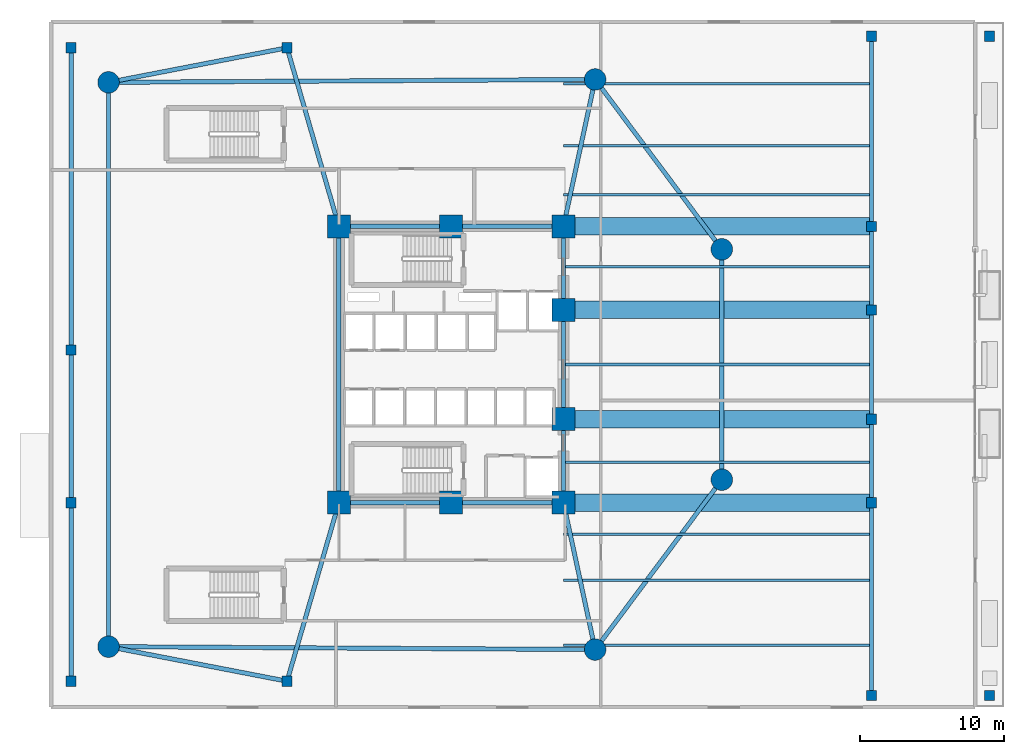
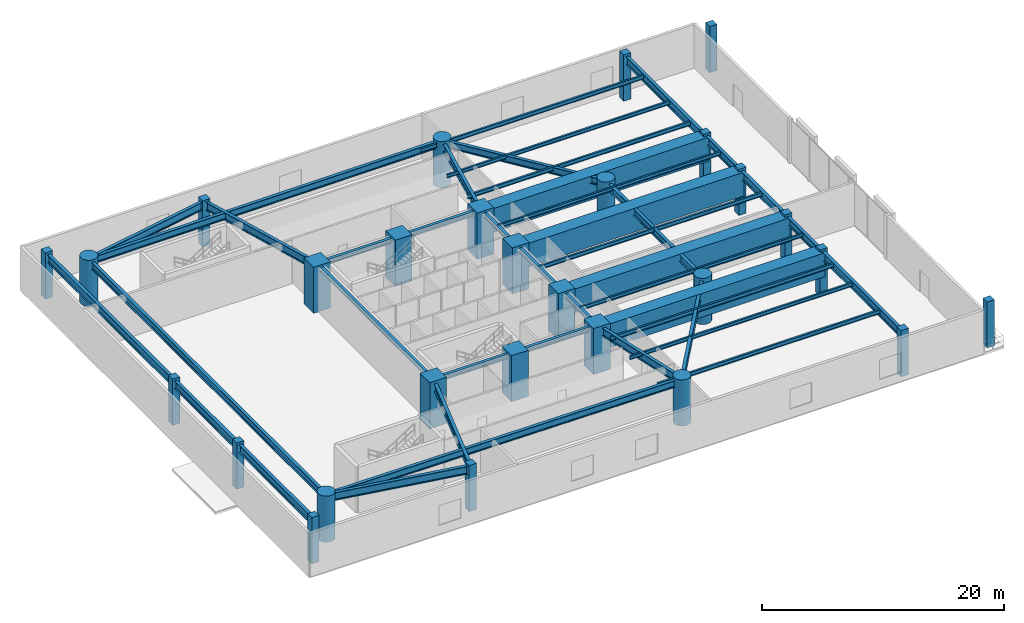
# One storey, part 1 of 11: 37 beams, 28 columns.
"""IFC4 building model written with IfcOpenShell, lengths in metres."""

import ifcopenshell
import ifcopenshell.guid

model = None  # the IFC model being written
_history = None  # IfcOwnerHistory: only IFC2X3 demands one
_inside = {}  # id of a spatial element -> (the spatial element, [elements in it])
_under = {}  # id of a project, library or spatial element -> (it, [spatial elements below it])
_declared = {}  # id of a project -> (the project, [libraries it declares])
_typed = {}  # id of a type object -> (the type object, [elements of that type])
_made_of = {}  # id of a material, layer set ... -> (it, [elements and type objects made of it])


def new_model(schema):
    """Start an empty IFC model of exactly this schema.

    Asked for "IFC4X3", IfcOpenShell would pick the latest addendum, in which some entities
    have other attributes; the version numbers below select the first issue.
    IFC2X3 requires an IfcOwnerHistory on every rooted entity: one is made here for all.
    """
    global model, _history
    if schema == "IFC4X3":
        model = ifcopenshell.file(schema_version=(4, 3, 0, 0))
    else:
        model = ifcopenshell.file(schema=schema)
    _inside.clear()
    _under.clear()
    _declared.clear()
    _typed.clear()
    _made_of.clear()
    _history = None
    if model.schema == "IFC2X3":
        org = make("IfcOrganization", Name="unknown")
        user = make(
            "IfcPersonAndOrganization",
            ThePerson=make("IfcPerson", FamilyName="unknown"),
            TheOrganization=org,
        )
        app = make(
            "IfcApplication",
            ApplicationDeveloper=org,
            Version="unknown",
            ApplicationFullName="unknown",
            ApplicationIdentifier="unknown",
        )
        _history = make(
            "IfcOwnerHistory",
            OwningUser=user,
            OwningApplication=app,
            ChangeAction="ADDED",
            CreationDate=0,
        )
    return model


def make(cls, **values):
    """One entity of the class cls with the attributes given. An attribute that is None is left unset."""
    return model.create_entity(
        cls, **{name: value for name, value in values.items() if value is not None}
    )


def rooted(cls, **values):
    """An entity with a GlobalId (a new one), such as an element, a storey or a relation."""
    return make(cls, GlobalId=ifcopenshell.guid.new(), OwnerHistory=_history, **values)


def si_unit(unit_type, name, prefix=None):
    """IfcSIUnit, for example si_unit("LENGTHUNIT", "METRE", prefix="MILLI")."""
    return make("IfcSIUnit", UnitType=unit_type, Prefix=prefix, Name=name)


def assignment(units):
    """IfcUnitAssignment: the units of a project."""
    return None if units is None else make("IfcUnitAssignment", Units=units)


def point(xyz):
    """IfcCartesianPoint."""
    return None if xyz is None else make("IfcCartesianPoint", Coordinates=xyz)


def direction(xyz):
    """IfcDirection."""
    return None if xyz is None else make("IfcDirection", DirectionRatios=xyz)


def frame(location, z_axis=None, x_axis=None):
    """IfcAxis2Placement3D, a coordinate frame: its origin and axes. An axis left out is left unset."""
    return make(
        "IfcAxis2Placement3D",
        Location=point(location),
        Axis=direction(z_axis),
        RefDirection=direction(x_axis),
    )


def frame_2d(location, x_axis=None):
    """IfcAxis2Placement2D, a coordinate frame in the plane: its origin and x axis."""
    return make(
        "IfcAxis2Placement2D", Location=point(location), RefDirection=direction(x_axis)
    )


def origin():
    """The frame at (0, 0, 0) with its axes left unset."""
    return frame((0.0, 0.0, 0.0))


def origin_2d():
    """The frame at (0, 0) in the plane with its x axis left unset."""
    return frame_2d((0.0, 0.0))


def place(relative_to, where):
    """IfcLocalPlacement: puts the frame where relative to a parent placement (None: the world)."""
    return make(
        "IfcLocalPlacement", PlacementRelTo=relative_to, RelativePlacement=where
    )


def context(
    kind, dimensions, precision=None, world=None, true_north=None, identifier=None
):
    """IfcGeometricRepresentationContext, for example the 3D "Model" context."""
    return make(
        "IfcGeometricRepresentationContext",
        ContextIdentifier=identifier,
        ContextType=kind,
        CoordinateSpaceDimension=dimensions,
        Precision=precision,
        WorldCoordinateSystem=world,
        TrueNorth=true_north,
    )


def subcontext(parent, identifier, kind, view, scale=None):
    """IfcGeometricRepresentationSubContext, for example "Body" below "Model"."""
    return make(
        "IfcGeometricRepresentationSubContext",
        ContextIdentifier=identifier,
        ContextType=kind,
        ParentContext=parent,
        TargetScale=scale,
        TargetView=view,
    )


def project(units=None, contexts=None):
    """IfcProject with its units and contexts."""
    return rooted(
        "IfcProject",
        Name="project",
        RepresentationContexts=contexts,
        UnitsInContext=assignment(units),
    )


def spatial(cls, under=None, at=None, **own):
    """A site, building, storey or space (cls), placed at a placement, below another one or the project."""
    s = rooted(cls, ObjectPlacement=at, **own)
    if under is not None:
        _under.setdefault(under.id(), (under, []))[1].append(s)
    return s


def profile(cls, at=None, kind="AREA", **sizes):
    """A parametric profile (cls). Its sizes go by their IFC names, for example OverallWidth=200.0."""
    return make(cls, ProfileType=kind, Position=at, **sizes)


def rectangle(**sizes):
    """IfcRectangleProfileDef."""
    return profile("IfcRectangleProfileDef", **sizes)


def circle(**sizes):
    """IfcCircleProfileDef."""
    return profile("IfcCircleProfileDef", **sizes)


def i_section(**sizes):
    """IfcIShapeProfileDef."""
    return profile("IfcIShapeProfileDef", **sizes)


def extrude(swept, where, along, depth):
    """IfcExtrudedAreaSolid: the profile swept, set in the frame where, extruded along a direction by depth."""
    return make(
        "IfcExtrudedAreaSolid",
        SweptArea=swept,
        Position=where,
        ExtrudedDirection=direction(along),
        Depth=depth,
    )


def shape(context_of_items, identifier, shape_type, items):
    """IfcShapeRepresentation: the items that make up one representation, for example the "Body"."""
    return make(
        "IfcShapeRepresentation",
        ContextOfItems=context_of_items,
        RepresentationIdentifier=identifier,
        RepresentationType=shape_type,
        Items=items,
    )


def material(Name=None, Category=None):
    """IfcMaterial."""
    return make("IfcMaterial", Name=Name, Category=Category)


def material_profile(
    of_material, cross_section, Name=None, Category=None, Priority=None
):
    """IfcMaterialProfile: a cross section and its material."""
    return make(
        "IfcMaterialProfile",
        Name=Name,
        Material=of_material,
        Profile=cross_section,
        Priority=Priority,
        Category=Category,
    )


def profile_set(profiles, Name=None, composite=None):
    """IfcMaterialProfileSet."""
    return make(
        "IfcMaterialProfileSet",
        Name=Name,
        MaterialProfiles=profiles,
        CompositeProfile=composite,
    )


def made_of(thing, what):
    """Note that an element or type object is made of a material, layer set ...; save() writes the relation."""
    if what is not None:
        _made_of.setdefault(what.id(), (what, []))[1].append(thing)
    return thing


def type_object(cls, material=None, **own):
    """A type object (cls), such as IfcWallType, which elements share."""
    return made_of(rooted(cls, **own), material)


def element(
    cls,
    number,
    at=None,
    inside=None,
    cuts=None,
    type_object=None,
    material=None,
    context=None,
    identifier="Body",
    shape_type=None,
    held_by="IfcProductDefinitionShape",
    body=None,
    shapes=None,
    **own,
):
    """One element of the class cls, such as IfcWall. Its Tag is "e" and its number.

    at: its placement. inside: the storey or other place that contains it. cuts: it is an
    opening in that element (IfcRelVoidsElement). A single representation is given by context,
    identifier, shape_type and body (its items); several are given by shapes. held_by: the class
    of the entity that holds the representations. save() writes the other relations.
    """
    e = rooted(cls, Tag="e%d" % number, ObjectPlacement=at, **own)
    if body is not None:
        shapes = [shape(context, identifier, shape_type, body)]
    if shapes is not None:
        e.Representation = make(held_by, Representations=shapes)
    if inside is not None:
        _inside.setdefault(inside.id(), (inside, []))[1].append(e)
    if cuts is not None:
        rooted(
            "IfcRelVoidsElement", RelatingBuildingElement=cuts, RelatedOpeningElement=e
        )
    if type_object is not None:
        _typed.setdefault(type_object.id(), (type_object, []))[1].append(e)
    return made_of(e, material)


def aggregate(whole, parts):
    """IfcRelAggregates: a whole, such as a stair, and the parts it consists of."""
    return rooted("IfcRelAggregates", RelatingObject=whole, RelatedObjects=parts)


def save(model, path):
    """Write the relations noted so far, then the file.

    IfcRelAggregates (storeys below a building ...), IfcRelContainedInSpatialStructure (elements
    in a storey), IfcRelDefinesByType, IfcRelAssociatesMaterial and IfcRelDeclares: one each for
    every whole, place, type object, material and project.
    """
    for whole, parts in _under.values():
        aggregate(whole, parts)
    for where, things in _inside.values():
        rooted(
            "IfcRelContainedInSpatialStructure",
            RelatedElements=things,
            RelatingStructure=where,
        )
    for kind, things in _typed.values():
        rooted("IfcRelDefinesByType", RelatedObjects=things, RelatingType=kind)
    for what, things in _made_of.values():
        rooted("IfcRelAssociatesMaterial", RelatedObjects=things, RelatingMaterial=what)
    for by, libraries in _declared.values():
        rooted("IfcRelDeclares", RelatingContext=by, RelatedDefinitions=libraries)
    model.write(path)


model = new_model("IFC4")

# Units and contexts
model_context = context("Model", 3, precision=1e-05, world=origin(), true_north=direction((0.0, 1.0)))
body_context = subcontext(model_context, "Body", "Model", "MODEL_VIEW")
ifc_project = project(units=[si_unit("LENGTHUNIT", "METRE"), si_unit("AREAUNIT", "SQUARE_METRE"), si_unit("VOLUMEUNIT", "CUBIC_METRE"), si_unit("PLANEANGLEUNIT", "RADIAN"), si_unit("MASSUNIT", "GRAM", prefix="KILO")], contexts=[model_context])

# Site, building, storey
site_placement = place(None, origin())
site = spatial("IfcSite", under=ifc_project, at=site_placement, CompositionType="ELEMENT")
building_placement = place(site_placement, origin())
building = spatial("IfcBuilding", under=site, at=building_placement, Name="An Khanh Terracotta Commons", CompositionType="ELEMENT")
storey_placement = place(building_placement, frame((0.0, 0.0, 19.35009765625)))
storey = spatial("IfcBuildingStorey", under=building, at=storey_placement, Name="L05", CompositionType="ELEMENT", Elevation=19.35009765625)

# Columns
ifc_material_1 = material(Name="Concrete C70/85", Category="concrete")
ifc_material_profile_1 = material_profile(ifc_material_1, circle(Radius=0.75, at=origin_2d()), Name="CFST1500")
ifc_profile_set_1 = profile_set([ifc_material_profile_1], Name="Concrete C70/85")
column_type_1 = type_object("IfcColumnType", Name="COL-CFST1500", PredefinedType="COLUMN", material=ifc_profile_set_1)
for number, where, z_axis, x_axis, name in (
    (1, (5.60009765625, 4.39990234375, 0.0), (0.0, 0.0, 1.0), (1.0, 0.0, 0.0), "L05 Mega-Column MC-01"),
    (2, (39.39990234375, 4.199951171875, 0.0), (0.0, 0.0, 1.0), (1.0, 0.0, 0.0), "L05 Mega-Column MC-02"),
    (3, (48.199951171875, 16.0, 0.0), (0.0, 0.0, 1.0), (1.0, 0.0, 0.0), "L05 Mega-Column MC-03"),
    (4, (48.199951171875, 32.0, 0.0), (0.0, 0.0, 1.0), (1.0, 0.0, 0.0), "L05 Mega-Column MC-04"),
    (5, (39.39990234375, 43.800048828125, 0.0), (0.0, 0.0, 1.0), (1.0, 0.0, 0.0), "L05 Mega-Column MC-05"),
    (6, (5.60009765625, 43.60009765625, 0.0), (0.0, 0.0, 1.0), (1.0, 0.0, 0.0), "L05 Mega-Column MC-06"),
):
    element("IfcColumn", number, at=place(storey_placement, frame(where, z_axis=z_axis, x_axis=x_axis)), inside=storey, type_object=column_type_1, Name=name, PredefinedType="COLUMN", context=body_context, shape_type="SweptSolid", body=[
        extrude(circle(Radius=0.75, at=origin_2d()), origin(), (0.0, 0.0, 1.0), 4.64990234375),
    ])
ifc_material_profile_2 = material_profile(ifc_material_1, rectangle(XDim=1.60009765625, YDim=1.60009765625, at=origin_2d()), Name="RC1600x1600")
ifc_profile_set_2 = profile_set([ifc_material_profile_2], Name="Concrete C70/85")
column_type_2 = type_object("IfcColumnType", Name="COL-RC1600x1600", PredefinedType="COLUMN", material=ifc_profile_set_2)
for number, where, z_axis, x_axis, name in (
    (7, (21.60009765625, 14.39990234375, 0.0), (0.0, 0.0, 1.0), (1.0, 0.0, 0.0), "L05 Core Boundary Column CC-01"),
    (8, (29.39990234375, 14.39990234375, 0.0), (0.0, 0.0, 1.0), (1.0, 0.0, 0.0), "L05 Core Boundary Column CC-02"),
    (9, (37.199951171875, 14.39990234375, 0.0), (0.0, 0.0, 1.0), (1.0, 0.0, 0.0), "L05 Core Boundary Column CC-03"),
    (10, (37.199951171875, 20.199951171875, 0.0), (0.0, 0.0, 1.0), (1.0, 0.0, 0.0), "L05 Core Boundary Column CC-04"),
    (11, (37.199951171875, 27.800048828125, 0.0), (0.0, 0.0, 1.0), (1.0, 0.0, 0.0), "L05 Core Boundary Column CC-05"),
    (12, (37.199951171875, 33.60009765625, 0.0), (0.0, 0.0, 1.0), (1.0, 0.0, 0.0), "L05 Core Boundary Column CC-06"),
    (13, (29.39990234375, 33.60009765625, 0.0), (0.0, 0.0, 1.0), (1.0, 0.0, 0.0), "L05 Core Boundary Column CC-07"),
    (14, (21.60009765625, 33.60009765625, 0.0), (0.0, 0.0, 1.0), (1.0, 0.0, 0.0), "L05 Core Boundary Column CC-08"),
):
    element("IfcColumn", number, at=place(storey_placement, frame(where, z_axis=z_axis, x_axis=x_axis)), inside=storey, type_object=column_type_2, Name=name, PredefinedType="COLUMN", context=body_context, shape_type="SweptSolid", body=[
        extrude(rectangle(XDim=1.60009765625, YDim=1.60009765625, at=origin_2d()), origin(), (0.0, 0.0, 1.0), 4.64990234375),
    ])
ifc_material_2 = material(Name="Concrete C50/60", Category="concrete")
ifc_material_profile_3 = material_profile(ifc_material_2, rectangle(XDim=0.699951171875, YDim=0.699951171875, at=origin_2d()), Name="RC700x700")
ifc_profile_set_3 = profile_set([ifc_material_profile_3], Name="Concrete C50/60")
column_type_3 = type_object("IfcColumnType", Name="COL-RC700x700", PredefinedType="COLUMN", material=ifc_profile_set_3)
for number, where, z_axis, x_axis, name in (
    (15, (3.0, 2.0, 0.0), (0.0, 0.0, 1.0), (1.0, 0.0, 0.0), "L05 Podium Column PC-01"),
    (16, (18.0, 2.0, 0.0), (0.0, 0.0, 1.0), (1.0, 0.0, 0.0), "L05 Podium Column PC-02"),
    (17, (58.60009765625, 1.0, 0.0), (0.0, 0.0, 1.0), (1.0, 0.0, 0.0), "L05 Podium Column PC-03"),
    (18, (58.60009765625, 46.800048828125, 0.0), (0.0, 0.0, 1.0), (1.0, 0.0, 0.0), "L05 Podium Column PC-09"),
    (19, (18.0, 46.0, 0.0), (0.0, 0.0, 1.0), (1.0, 0.0, 0.0), "L05 Podium Column PC-10"),
    (20, (3.0, 46.0, 0.0), (0.0, 0.0, 1.0), (1.0, 0.0, 0.0), "L05 Podium Column PC-11"),
    (21, (3.0, 14.39990234375, 0.0), (0.0, 0.0, 1.0), (1.0, 0.0, 0.0), "L05 Podium Column PC-12"),
    (22, (3.0, 25.0, 0.0), (0.0, 0.0, 1.0), (1.0, 0.0, 0.0), "L05 Podium Column PC-17"),
    (23, (58.60009765625, 20.199951171875, 0.0), (0.0, 0.0, 1.0), (1.0, 0.0, 0.0), "L05 Podium Column PC-13"),
    (24, (58.60009765625, 27.800048828125, 0.0), (0.0, 0.0, 1.0), (1.0, 0.0, 0.0), "L05 Podium Column PC-14"),
    (25, (58.60009765625, 14.39990234375, 0.0), (0.0, 0.0, 1.0), (1.0, 0.0, 0.0), "L05 Podium Column PC-18"),
    (26, (58.60009765625, 33.60009765625, 0.0), (0.0, 0.0, 1.0), (1.0, 0.0, 0.0), "L05 Podium Column PC-19"),
    (27, (66.800048828125, 1.0, 0.0), (0.0, 0.0, 1.0), (1.0, 0.0, 0.0), "L05 Podium Column PC-15"),
    (28, (66.800048828125, 46.800048828125, 0.0), (0.0, 0.0, 1.0), (1.0, 0.0, 0.0), "L05 Podium Column PC-16"),
):
    element("IfcColumn", number, at=place(storey_placement, frame(where, z_axis=z_axis, x_axis=x_axis)), inside=storey, type_object=column_type_3, Name=name, PredefinedType="COLUMN", context=body_context, shape_type="SweptSolid", body=[
        extrude(rectangle(XDim=0.699951171875, YDim=0.699951171875, at=origin_2d()), origin(), (0.0, 0.0, 1.0), 4.64990234375),
    ])

# Beams
ifc_material_3 = material(Name="Steel S355J2", Category="steel")
ifc_material_profile_4 = material_profile(ifc_material_3, i_section(OverallWidth=0.300048828125, OverallDepth=0.449951171875, WebThickness=0.013916015625, FlangeThickness=0.02587890625, FilletRadius=0.027099609375, at=origin_2d()), Name="HEB450")
ifc_profile_set_4 = profile_set([ifc_material_profile_4], Name="Steel S355J2")
beam_type_1 = type_object("IfcBeamType", Name="BM-HEB450", PredefinedType="BEAM", material=ifc_profile_set_4)
beam_1_placement = place(storey_placement, frame((37.199951171875, 14.39990234375, 4.184814453125), z_axis=(0.0, 1.0, 0.0), x_axis=(-1.0, 0.0, 0.0)))
element("IfcBeam", 29, at=beam_1_placement, inside=storey, type_object=beam_type_1, Name="L05 Core East Coupling Girder 1", PredefinedType="BEAM", context=body_context, shape_type="SweptSolid", body=[
    extrude(i_section(OverallWidth=0.300048828125, OverallDepth=0.449951171875, WebThickness=0.013916015625, FlangeThickness=0.02587890625, FilletRadius=0.027099609375, at=origin_2d()), origin(), (0.0, 0.0, 1.0), 5.800048828125),
])
beam_2_placement = place(storey_placement, frame((37.199951171875, 20.199951171875, 4.184814453125), z_axis=(0.0, 1.0, 0.0), x_axis=(-1.0, 0.0, 0.0)))
element("IfcBeam", 30, at=beam_2_placement, inside=storey, type_object=beam_type_1, Name="L05 Core East Coupling Girder 2", PredefinedType="BEAM", context=body_context, shape_type="SweptSolid", body=[
    extrude(i_section(OverallWidth=0.300048828125, OverallDepth=0.449951171875, WebThickness=0.013916015625, FlangeThickness=0.02587890625, FilletRadius=0.027099609375, at=origin_2d()), origin(), (0.0, 0.0, 1.0), 7.60009765625),
])
beam_3_placement = place(storey_placement, frame((37.199951171875, 27.800048828125, 4.184814453125), z_axis=(0.0, 1.0, 0.0), x_axis=(-1.0, 0.0, 0.0)))
element("IfcBeam", 31, at=beam_3_placement, inside=storey, type_object=beam_type_1, Name="L05 Core East Coupling Girder 3", PredefinedType="BEAM", context=body_context, shape_type="SweptSolid", body=[
    extrude(i_section(OverallWidth=0.300048828125, OverallDepth=0.449951171875, WebThickness=0.013916015625, FlangeThickness=0.02587890625, FilletRadius=0.027099609375, at=origin_2d()), origin(), (0.0, 0.0, 1.0), 5.800048828125),
])
beam_4_placement = place(storey_placement, frame((21.60009765625, 14.39990234375, 4.184814453125), z_axis=(0.0, 1.0, 0.0), x_axis=(-1.0, 0.0, 0.0)))
element("IfcBeam", 32, at=beam_4_placement, inside=storey, type_object=beam_type_1, Name="L05 Core West Coupling Girder", PredefinedType="BEAM", context=body_context, shape_type="SweptSolid", body=[
    extrude(i_section(OverallWidth=0.300048828125, OverallDepth=0.449951171875, WebThickness=0.013916015625, FlangeThickness=0.02587890625, FilletRadius=0.027099609375, at=origin_2d()), origin(), (0.0, 0.0, 1.0), 19.2001953125),
])
ifc_material_profile_5 = material_profile(ifc_material_3, i_section(OverallWidth=0.300048828125, OverallDepth=0.5, WebThickness=0.014404296875, FlangeThickness=0.028076171875, FilletRadius=0.027099609375, at=origin_2d()), Name="HEB500")
ifc_profile_set_5 = profile_set([ifc_material_profile_5], Name="Steel S355J2")
beam_type_2 = type_object("IfcBeamType", Name="BM-HEB500", PredefinedType="BEAM", material=ifc_profile_set_5)
for number, where, z_axis, x_axis, name in (
    (33, (21.60009765625, 14.39990234375, 4.159912109375), (1.0, 0.0, 0.0), (0.0, 1.0, 0.0), "L05 Core South Coupling Girder"),
    (34, (21.60009765625, 33.60009765625, 4.159912109375), (1.0, 0.0, 0.0), (0.0, 1.0, 0.0), "L05 Core North Coupling Girder"),
):
    element("IfcBeam", number, at=place(storey_placement, frame(where, z_axis=z_axis, x_axis=x_axis)), inside=storey, type_object=beam_type_2, Name=name, PredefinedType="BEAM", context=body_context, shape_type="SweptSolid", body=[
        extrude(i_section(OverallWidth=0.300048828125, OverallDepth=0.5, WebThickness=0.014404296875, FlangeThickness=0.028076171875, FilletRadius=0.027099609375, at=origin_2d()), origin(), (0.0, 0.0, 1.0), 15.599853515625),
    ])
ifc_material_profile_6 = material_profile(ifc_material_3, i_section(OverallWidth=0.300048828125, OverallDepth=0.699951171875, WebThickness=0.01708984375, FlangeThickness=0.031982421875, FilletRadius=0.027099609375, at=origin_2d()), Name="HEB700")
ifc_profile_set_6 = profile_set([ifc_material_profile_6], Name="Steel S355J2")
beam_type_3 = type_object("IfcBeamType", Name="BM-HEB700", PredefinedType="BEAM", material=ifc_profile_set_6)
beam_5_placement = place(storey_placement, frame((5.60009765625, 4.39990234375, 4.059814453125), z_axis=(0.999982502414, -0.005915645817, 0.0), x_axis=(0.005915645817, 0.999982502414, 0.0)))
element("IfcBeam", 35, at=beam_5_placement, inside=storey, type_object=beam_type_3, Name="L05 Podium Mega-Ring Girder 1", PredefinedType="BEAM", context=body_context, shape_type="SweptSolid", body=[
    extrude(i_section(OverallWidth=0.300048828125, OverallDepth=0.699951171875, WebThickness=0.01708984375, FlangeThickness=0.031982421875, FilletRadius=0.027099609375, at=origin_2d()), origin(), (0.0, 0.0, 1.0), 33.80029296875),
])
beam_6_placement = place(storey_placement, frame((39.39990234375, 4.199951171875, 4.059814453125), z_axis=(0.59782442166, 0.801627070942, 0.0), x_axis=(-0.801627070942, 0.59782442166, 0.0)))
element("IfcBeam", 36, at=beam_6_placement, inside=storey, type_object=beam_type_3, Name="L05 Podium Mega-Ring Girder 2", PredefinedType="BEAM", context=body_context, shape_type="SweptSolid", body=[
    extrude(i_section(OverallWidth=0.300048828125, OverallDepth=0.699951171875, WebThickness=0.01708984375, FlangeThickness=0.031982421875, FilletRadius=0.027099609375, at=origin_2d()), origin(), (0.0, 0.0, 1.0), 14.72021484375),
])
beam_7_placement = place(storey_placement, frame((48.199951171875, 16.0, 4.059814453125), z_axis=(0.0, 1.0, 0.0), x_axis=(-1.0, 0.0, 0.0)))
element("IfcBeam", 37, at=beam_7_placement, inside=storey, type_object=beam_type_3, Name="L05 Podium Mega-Ring Girder 3", PredefinedType="BEAM", context=body_context, shape_type="SweptSolid", body=[
    extrude(i_section(OverallWidth=0.300048828125, OverallDepth=0.699951171875, WebThickness=0.01708984375, FlangeThickness=0.031982421875, FilletRadius=0.027099609375, at=origin_2d()), origin(), (0.0, 0.0, 1.0), 16.0),
])
beam_8_placement = place(storey_placement, frame((48.199951171875, 32.0, 4.059814453125), z_axis=(-0.59782442166, 0.801627070942, 0.0), x_axis=(-0.801627070942, -0.59782442166, 0.0)))
element("IfcBeam", 38, at=beam_8_placement, inside=storey, type_object=beam_type_3, Name="L05 Podium Mega-Ring Girder 4", PredefinedType="BEAM", context=body_context, shape_type="SweptSolid", body=[
    extrude(i_section(OverallWidth=0.300048828125, OverallDepth=0.699951171875, WebThickness=0.01708984375, FlangeThickness=0.031982421875, FilletRadius=0.027099609375, at=origin_2d()), origin(), (0.0, 0.0, 1.0), 14.72021484375),
])
beam_9_placement = place(storey_placement, frame((39.39990234375, 43.800048828125, 4.059814453125), z_axis=(-0.999982502414, -0.005915645817, 0.0), x_axis=(0.005915645817, -0.999982502414, 0.0)))
element("IfcBeam", 39, at=beam_9_placement, inside=storey, type_object=beam_type_3, Name="L05 Podium Mega-Ring Girder 5", PredefinedType="BEAM", context=body_context, shape_type="SweptSolid", body=[
    extrude(i_section(OverallWidth=0.300048828125, OverallDepth=0.699951171875, WebThickness=0.01708984375, FlangeThickness=0.031982421875, FilletRadius=0.027099609375, at=origin_2d()), origin(), (0.0, 0.0, 1.0), 33.80029296875),
])
beam_10_placement = place(storey_placement, frame((5.60009765625, 43.60009765625, 4.059814453125), z_axis=(0.0, -1.0, 0.0), x_axis=(1.0, 0.0, 0.0)))
element("IfcBeam", 40, at=beam_10_placement, inside=storey, type_object=beam_type_3, Name="L05 Podium Mega-Ring Girder 6", PredefinedType="BEAM", context=body_context, shape_type="SweptSolid", body=[
    extrude(i_section(OverallWidth=0.300048828125, OverallDepth=0.699951171875, WebThickness=0.01708984375, FlangeThickness=0.031982421875, FilletRadius=0.027099609375, at=origin_2d()), origin(), (0.0, 0.0, 1.0), 39.2001953125),
])
ifc_material_profile_7 = material_profile(ifc_material_3, i_section(OverallWidth=0.300048828125, OverallDepth=0.800048828125, WebThickness=0.017578125, FlangeThickness=0.032958984375, FilletRadius=0.030029296875, at=origin_2d()), Name="HEB800")
ifc_profile_set_7 = profile_set([ifc_material_profile_7], Name="Steel S355J2")
beam_type_4 = type_object("IfcBeamType", Name="BM-HEB800", PredefinedType="BEAM", material=ifc_profile_set_7)
beam_11_placement = place(storey_placement, frame((3.0, 2.0, 4.010009765625), z_axis=(0.0, 1.0, 0.0), x_axis=(-1.0, 0.0, 0.0)))
element("IfcBeam", 41, at=beam_11_placement, inside=storey, type_object=beam_type_4, Name="L05 Primary Podium Girder 1", PredefinedType="BEAM", context=body_context, shape_type="SweptSolid", body=[
    extrude(i_section(OverallWidth=0.300048828125, OverallDepth=0.800048828125, WebThickness=0.017578125, FlangeThickness=0.032958984375, FilletRadius=0.030029296875, at=origin_2d()), origin(), (0.0, 0.0, 1.0), 12.39990234375),
])
beam_12_placement = place(storey_placement, frame((3.0, 14.39990234375, 4.010009765625), z_axis=(0.0, 1.0, 0.0), x_axis=(-1.0, 0.0, 0.0)))
element("IfcBeam", 42, at=beam_12_placement, inside=storey, type_object=beam_type_4, Name="L05 Primary Podium Girder 2", PredefinedType="BEAM", context=body_context, shape_type="SweptSolid", body=[
    extrude(i_section(OverallWidth=0.300048828125, OverallDepth=0.800048828125, WebThickness=0.017578125, FlangeThickness=0.032958984375, FilletRadius=0.030029296875, at=origin_2d()), origin(), (0.0, 0.0, 1.0), 10.60009765625),
])
beam_13_placement = place(storey_placement, frame((3.0, 25.0, 4.010009765625), z_axis=(0.0, 1.0, 0.0), x_axis=(-1.0, 0.0, 0.0)))
element("IfcBeam", 43, at=beam_13_placement, inside=storey, type_object=beam_type_4, Name="L05 Primary Podium Girder 3", PredefinedType="BEAM", context=body_context, shape_type="SweptSolid", body=[
    extrude(i_section(OverallWidth=0.300048828125, OverallDepth=0.800048828125, WebThickness=0.017578125, FlangeThickness=0.032958984375, FilletRadius=0.030029296875, at=origin_2d()), origin(), (0.0, 0.0, 1.0), 21.0),
])
beam_14_placement = place(storey_placement, frame((5.60009765625, 4.39990234375, 4.010009765625), z_axis=(0.981781013874, -0.190015896168, 0.0), x_axis=(0.190015896168, 0.981781013874, 0.0)))
element("IfcBeam", 44, at=beam_14_placement, inside=storey, type_object=beam_type_4, Name="L05 Primary Podium Girder 4", PredefinedType="BEAM", context=body_context, shape_type="SweptSolid", body=[
    extrude(i_section(OverallWidth=0.300048828125, OverallDepth=0.800048828125, WebThickness=0.017578125, FlangeThickness=0.032958984375, FilletRadius=0.030029296875, at=origin_2d()), origin(), (0.0, 0.0, 1.0), 12.630126953125),
])
beam_15_placement = place(storey_placement, frame((18.0, 2.0, 4.010009765625), z_axis=(0.278819195264, 0.960343613689, 0.0), x_axis=(-0.960343613689, 0.278819195264, 0.0)))
element("IfcBeam", 45, at=beam_15_placement, inside=storey, type_object=beam_type_4, Name="L05 Primary Podium Girder 5", PredefinedType="BEAM", context=body_context, shape_type="SweptSolid", body=[
    extrude(i_section(OverallWidth=0.300048828125, OverallDepth=0.800048828125, WebThickness=0.017578125, FlangeThickness=0.032958984375, FilletRadius=0.030029296875, at=origin_2d()), origin(), (0.0, 0.0, 1.0), 12.911865234375),
])
for number, where, z_axis, x_axis, name in (
    (46, (39.39990234375, 4.199951171875, 4.010009765625), (-0.210834365214, 0.977521800496, 0.0), (-0.977521800496, -0.210834365214, 0.0), "L05 Primary Podium Girder 6"),
    (47, (39.39990234375, 43.800048828125, 4.010009765625), (-0.210834365214, -0.977521800496, 0.0), (0.977521800496, -0.210834365214, 0.0), "L05 Primary Podium Girder 7"),
):
    element("IfcBeam", number, at=place(storey_placement, frame(where, z_axis=z_axis, x_axis=x_axis)), inside=storey, type_object=beam_type_4, Name=name, PredefinedType="BEAM", context=body_context, shape_type="SweptSolid", body=[
        extrude(i_section(OverallWidth=0.300048828125, OverallDepth=0.800048828125, WebThickness=0.017578125, FlangeThickness=0.032958984375, FilletRadius=0.030029296875, at=origin_2d()), origin(), (0.0, 0.0, 1.0), 10.4345703125),
    ])
beam_16_placement = place(storey_placement, frame((5.60009765625, 43.60009765625, 4.010009765625), z_axis=(0.981781013874, 0.190015896168, 0.0), x_axis=(-0.190015896168, 0.981781013874, 0.0)))
element("IfcBeam", 48, at=beam_16_placement, inside=storey, type_object=beam_type_4, Name="L05 Primary Podium Girder 8", PredefinedType="BEAM", context=body_context, shape_type="SweptSolid", body=[
    extrude(i_section(OverallWidth=0.300048828125, OverallDepth=0.800048828125, WebThickness=0.017578125, FlangeThickness=0.032958984375, FilletRadius=0.030029296875, at=origin_2d()), origin(), (0.0, 0.0, 1.0), 12.630126953125),
])
beam_17_placement = place(storey_placement, frame((18.0, 46.0, 4.010009765625), z_axis=(0.278819195264, -0.960343613689, 0.0), x_axis=(0.960343613689, 0.278819195264, 0.0)))
element("IfcBeam", 49, at=beam_17_placement, inside=storey, type_object=beam_type_4, Name="L05 Primary Podium Girder 9", PredefinedType="BEAM", context=body_context, shape_type="SweptSolid", body=[
    extrude(i_section(OverallWidth=0.300048828125, OverallDepth=0.800048828125, WebThickness=0.017578125, FlangeThickness=0.032958984375, FilletRadius=0.030029296875, at=origin_2d()), origin(), (0.0, 0.0, 1.0), 12.911865234375),
])
beam_18_placement = place(storey_placement, frame((58.60009765625, 20.199951171875, 4.010009765625), z_axis=(0.0, 1.0, 0.0), x_axis=(-1.0, 0.0, 0.0)))
element("IfcBeam", 50, at=beam_18_placement, inside=storey, type_object=beam_type_4, Name="L05 Primary Podium Girder 10", PredefinedType="BEAM", context=body_context, shape_type="SweptSolid", body=[
    extrude(i_section(OverallWidth=0.300048828125, OverallDepth=0.800048828125, WebThickness=0.017578125, FlangeThickness=0.032958984375, FilletRadius=0.030029296875, at=origin_2d()), origin(), (0.0, 0.0, 1.0), 7.60009765625),
])
beam_19_placement = place(storey_placement, frame((58.60009765625, 1.0, 4.010009765625), z_axis=(0.0, 1.0, 0.0), x_axis=(-1.0, 0.0, 0.0)))
element("IfcBeam", 51, at=beam_19_placement, inside=storey, type_object=beam_type_4, Name="L05 Primary Podium Girder 11", PredefinedType="BEAM", context=body_context, shape_type="SweptSolid", body=[
    extrude(i_section(OverallWidth=0.300048828125, OverallDepth=0.800048828125, WebThickness=0.017578125, FlangeThickness=0.032958984375, FilletRadius=0.030029296875, at=origin_2d()), origin(), (0.0, 0.0, 1.0), 19.199951171875),
])
beam_20_placement = place(storey_placement, frame((58.60009765625, 27.800048828125, 4.010009765625), z_axis=(0.0, 1.0, 0.0), x_axis=(-1.0, 0.0, 0.0)))
element("IfcBeam", 52, at=beam_20_placement, inside=storey, type_object=beam_type_4, Name="L05 Primary Podium Girder 12", PredefinedType="BEAM", context=body_context, shape_type="SweptSolid", body=[
    extrude(i_section(OverallWidth=0.300048828125, OverallDepth=0.800048828125, WebThickness=0.017578125, FlangeThickness=0.032958984375, FilletRadius=0.030029296875, at=origin_2d()), origin(), (0.0, 0.0, 1.0), 19.0),
])
ifc_material_profile_8 = material_profile(ifc_material_3, i_section(OverallWidth=0.169921875, OverallDepth=0.360107421875, WebThickness=0.008056640625, FlangeThickness=0.0126953125, FilletRadius=0.01806640625, at=origin_2d()), Name="IPE360")
ifc_profile_set_8 = profile_set([ifc_material_profile_8], Name="Steel S355J2")
beam_type_5 = type_object("IfcBeamType", Name="BM-IPE360", PredefinedType="JOIST", material=ifc_profile_set_8)
for number, where, z_axis, x_axis, name in (
    (53, (37.199951171875, 9.0, 4.22998046875), (1.0, 0.0, 0.0), (0.0, 1.0, 0.0), "L05 East Composite Floor Joist 2"),
    (54, (37.199951171875, 17.199951171875, 4.22998046875), (1.0, 0.0, 0.0), (0.0, 1.0, 0.0), "L05 East Composite Floor Joist 4"),
    (55, (37.199951171875, 30.800048828125, 4.22998046875), (1.0, 0.0, 0.0), (0.0, 1.0, 0.0), "L05 East Composite Floor Joist 6"),
    (56, (37.199951171875, 39.199951171875, 4.22998046875), (1.0, 0.0, 0.0), (0.0, 1.0, 0.0), "L05 East Composite Floor Joist 8"),
):
    element("IfcBeam", number, at=place(storey_placement, frame(where, z_axis=z_axis, x_axis=x_axis)), inside=storey, type_object=beam_type_5, Name=name, PredefinedType="JOIST", context=body_context, shape_type="SweptSolid", body=[
        extrude(i_section(OverallWidth=0.169921875, OverallDepth=0.360107421875, WebThickness=0.008056640625, FlangeThickness=0.0126953125, FilletRadius=0.01806640625, at=origin_2d()), origin(), (0.0, 0.0, 1.0), 21.25),
    ])
ifc_material_profile_9 = material_profile(ifc_material_3, i_section(OverallWidth=0.179931640625, OverallDepth=0.39990234375, WebThickness=0.008544921875, FlangeThickness=0.013427734375, FilletRadius=0.02099609375, at=origin_2d()), Name="IPE400")
ifc_profile_set_9 = profile_set([ifc_material_profile_9], Name="Steel S355J2")
beam_type_6 = type_object("IfcBeamType", Name="BM-IPE400", PredefinedType="JOIST", material=ifc_profile_set_9)
for number, where, z_axis, x_axis, name in (
    (57, (37.199951171875, 4.5, 4.2099609375), (1.0, 0.0, 0.0), (0.0, 1.0, 0.0), "L05 East Composite Floor Joist 1"),
    (58, (37.199951171875, 12.199951171875, 4.2099609375), (1.0, 0.0, 0.0), (0.0, 1.0, 0.0), "L05 East Composite Floor Joist 3"),
    (59, (37.199951171875, 24.0, 4.2099609375), (1.0, 0.0, 0.0), (0.0, 1.0, 0.0), "L05 East Composite Floor Joist 5"),
    (60, (37.199951171875, 35.800048828125, 4.2099609375), (1.0, 0.0, 0.0), (0.0, 1.0, 0.0), "L05 East Composite Floor Joist 7"),
    (61, (37.199951171875, 43.5, 4.2099609375), (1.0, 0.0, 0.0), (0.0, 1.0, 0.0), "L05 East Composite Floor Joist 9"),
):
    element("IfcBeam", number, at=place(storey_placement, frame(where, z_axis=z_axis, x_axis=x_axis)), inside=storey, type_object=beam_type_6, Name=name, PredefinedType="JOIST", context=body_context, shape_type="SweptSolid", body=[
        extrude(i_section(OverallWidth=0.179931640625, OverallDepth=0.39990234375, WebThickness=0.008544921875, FlangeThickness=0.013427734375, FilletRadius=0.02099609375, at=origin_2d()), origin(), (0.0, 0.0, 1.0), 21.25),
    ])
ifc_material_4 = material(Name="Concrete C60/75", Category="concrete")
ifc_material_profile_10 = material_profile(ifc_material_4, rectangle(XDim=1.199951171875, YDim=2.39990234375, at=origin_2d()), Name="RCB1200x2400")
ifc_profile_set_10 = profile_set([ifc_material_profile_10], Name="Concrete C60/75")
beam_type_7 = type_object("IfcBeamType", Name="BM-RCB1200x2400", PredefinedType="BEAM", material=ifc_profile_set_10)
for number, where, z_axis, x_axis, name in (
    (62, (37.199951171875, 14.39990234375, 3.2099609375), (1.0, 0.0, 0.0), (0.0, 1.0, 0.0), "L05 Podium Transfer Girder TG-1"),
    (63, (37.199951171875, 20.199951171875, 3.2099609375), (1.0, 0.0, 0.0), (0.0, 1.0, 0.0), "L05 Podium Transfer Girder TG-2"),
    (64, (37.199951171875, 27.800048828125, 3.2099609375), (1.0, 0.0, 0.0), (0.0, 1.0, 0.0), "L05 Podium Transfer Girder TG-3"),
    (65, (37.199951171875, 33.60009765625, 3.2099609375), (1.0, 0.0, 0.0), (0.0, 1.0, 0.0), "L05 Podium Transfer Girder TG-4"),
):
    element("IfcBeam", number, at=place(storey_placement, frame(where, z_axis=z_axis, x_axis=x_axis)), inside=storey, type_object=beam_type_7, Name=name, PredefinedType="BEAM", context=body_context, shape_type="SweptSolid", body=[
        extrude(rectangle(XDim=1.199951171875, YDim=2.39990234375, at=origin_2d()), origin(), (0.0, 0.0, 1.0), 21.400146484375),
    ])

save(model, "model.ifc")
